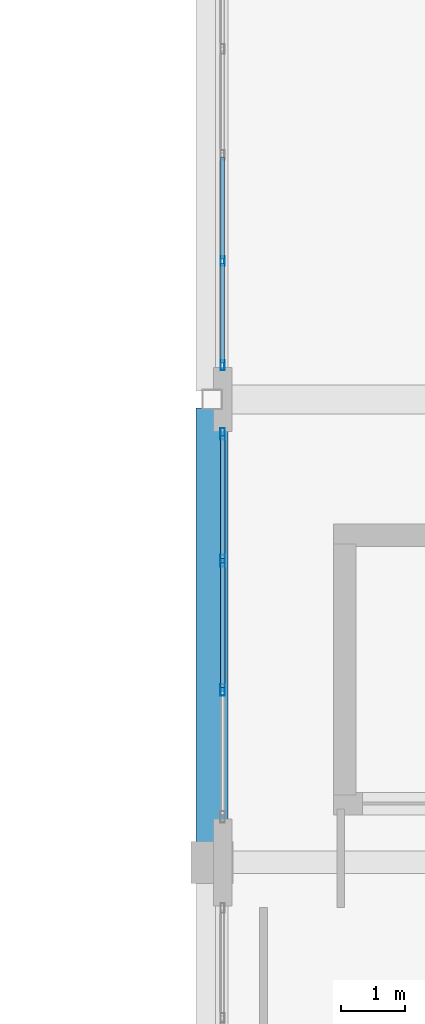
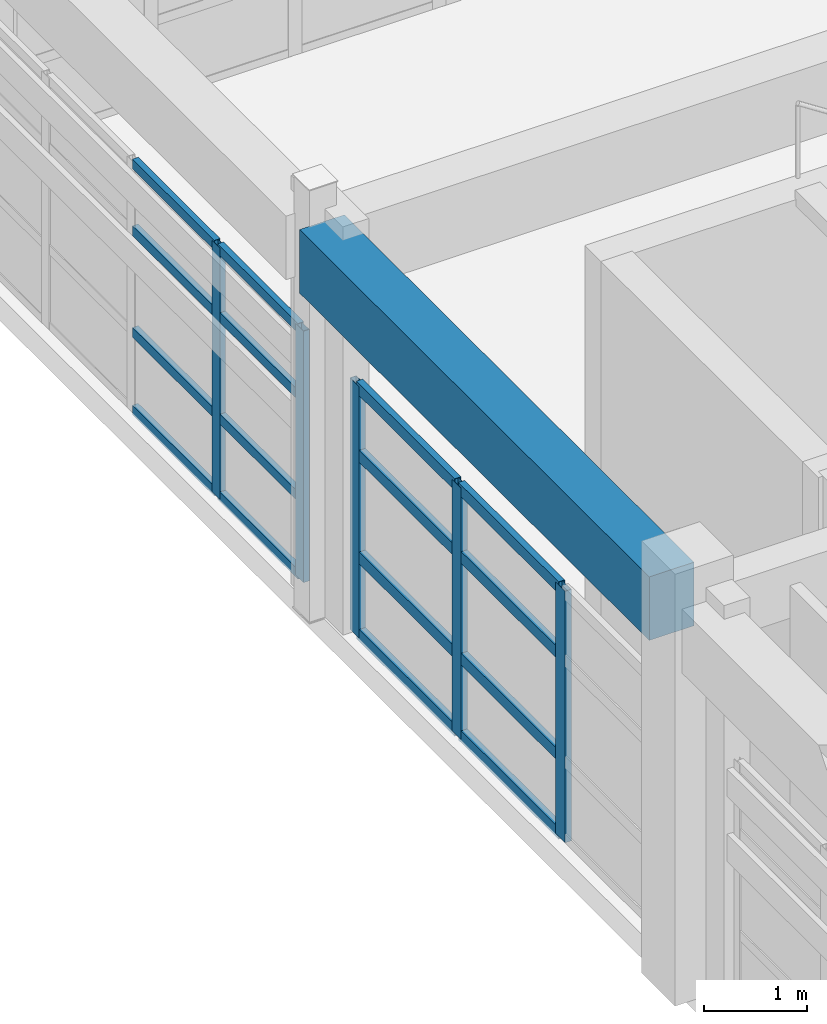
# One storey, part 60 of 103: 21 members, 1 beam, 2 elements without a shape of their own.
"""IFC4 building model written with IfcOpenShell, lengths in metres."""

from ifc_helpers import new_model, si_unit, direction, frame, origin, origin_2d, place, context, subcontext, project, spatial, rectangle, hollow_rectangle, extrude, material, layer, layer_set, material_profile, profile_set, type_object, element, aggregate, save


model = new_model("IFC4")

# Units and contexts
model_context = context("Model", 3, precision=1e-05, world=origin(), true_north=direction((0.0, 1.0)))
body_context = subcontext(model_context, "Body", "Model", "MODEL_VIEW")
ifc_project = project(units=[si_unit("LENGTHUNIT", "METRE"), si_unit("AREAUNIT", "SQUARE_METRE"), si_unit("VOLUMEUNIT", "CUBIC_METRE"), si_unit("PLANEANGLEUNIT", "RADIAN"), si_unit("MASSUNIT", "GRAM", prefix="KILO")], contexts=[model_context])

# Site, building, storey
site_placement = place(None, origin())
site = spatial("IfcSite", under=ifc_project, at=site_placement, CompositionType="ELEMENT")
building_placement = place(site_placement, origin())
building = spatial("IfcBuilding", under=site, at=building_placement, Name="Quendrovan Civic Courthouse", CompositionType="ELEMENT")
storey_placement = place(building_placement, frame((0.0, 0.0, 15.300048828125)))
storey = spatial("IfcBuildingStorey", under=building, at=storey_placement, Name="L04", CompositionType="ELEMENT", Elevation=15.300048828125)

# Beam
ifc_material_1 = material(Name="Concrete C40/50", Category="concrete")
ifc_material_profile_1 = material_profile(ifc_material_1, rectangle(XDim=0.5, YDim=0.75, at=origin_2d()), Name="RC-BM-500x750")
ifc_profile_set_1 = profile_set([ifc_material_profile_1], Name="Concrete C40/50")
beam_type = type_object("IfcBeamType", Name="BM-RC750", PredefinedType="SPANDREL", material=ifc_profile_set_1)
beam_placement = place(storey_placement, frame((109.199951171875, 95.10498046875, 4.284912109375), z_axis=(0.0, 1.0, 0.0), x_axis=(-1.0, 0.0, 0.0)))
element("IfcBeam", 1, at=beam_placement, inside=storey, type_object=beam_type, Name="L04 Girder Y0987", PredefinedType="SPANDREL", context=body_context, shape_type="SweptSolid", body=[
    extrude(rectangle(XDim=0.5, YDim=0.75, at=origin_2d()), origin(), (0.0, 0.0, 1.0), 6.76513671875),
])

# Curtain wall, members
ifc_material_2 = material(Name="Bronze anodised aluminium and low-E glass", Category="aluminium")
ifc_layer_1 = layer(ifc_material_2, 0.179931640625, Name="Bronze anodised aluminium and low-E glass")
ifc_layer_set_1 = layer_set([ifc_layer_1], Name="Bronze anodised aluminium and low-E glass")
curtain_wall_type_1 = type_object("IfcCurtainWallType", Name="CW-U60x30", PredefinedType="USERDEFINED", material=ifc_layer_set_1)
curtain_wall_1_placement = place(storey_placement, origin())
curtain_wall_1 = element("IfcCurtainWall", 2, at=curtain_wall_1_placement, inside=storey, type_object=curtain_wall_type_1, Name="L04 Unitised Hurricane Curtain Wall CW-178", ObjectType="UNITISED CURTAIN WALL", PredefinedType="USERDEFINED")
ifc_material_3 = material(Name="Bronze anodised aluminium", Category="aluminium")
ifc_material_profile_2 = material_profile(ifc_material_3, hollow_rectangle(XDim=0.070068359375, YDim=0.179931640625, WallThickness=0.00390625, at=origin_2d()), Name="CW-MULL-70x180")
ifc_profile_set_2 = profile_set([ifc_material_profile_2], Name="Bronze anodised aluminium")
member_type_1 = type_object("IfcMemberType", Name="CW-MULL-A", PredefinedType="MULLION", material=ifc_profile_set_2)
member_1_placement = place(storey_placement, frame((109.364990234375, 97.4833984375, 0.0), z_axis=(0.0, 0.0, 1.0), x_axis=(-1.0, 0.0, 0.0)))
member_1 = element("IfcMember", 3, at=member_1_placement, type_object=member_type_1, Name="CW-178 mullion 2", PredefinedType="MULLION", context=body_context, shape_type="SweptSolid", body=[
    extrude(hollow_rectangle(XDim=0.070068359375, YDim=0.179931640625, WallThickness=0.00390625, at=origin_2d()), origin(), (0.0, 0.0, 1.0), 2.969970703125),
])
member_2_placement = place(storey_placement, frame((109.364990234375, 99.49169921875, 0.0), z_axis=(0.0, 0.0, 1.0), x_axis=(-1.0, 0.0, 0.0)))
member_2 = element("IfcMember", 4, at=member_2_placement, type_object=member_type_1, Name="CW-178 mullion 3", PredefinedType="MULLION", context=body_context, shape_type="SweptSolid", body=[
    extrude(hollow_rectangle(XDim=0.070068359375, YDim=0.179931640625, WallThickness=0.00390625, at=origin_2d()), origin(), (0.0, 0.0, 1.0), 2.969970703125),
])
member_3_placement = place(storey_placement, frame((109.364990234375, 101.465087890625, 0.0), z_axis=(0.0, 0.0, 1.0), x_axis=(-1.0, 0.0, 0.0)))
member_3 = element("IfcMember", 5, at=member_3_placement, type_object=member_type_1, Name="CW-178 mullion 4", PredefinedType="MULLION", context=body_context, shape_type="SweptSolid", body=[
    extrude(hollow_rectangle(XDim=0.070068359375, YDim=0.179931640625, WallThickness=0.00390625, at=origin_2d()), origin(), (0.0, 0.0, 1.0), 2.969970703125),
])

ifc_layer_2 = layer(ifc_material_2, 0.179931640625, Name="Bronze anodised aluminium and low-E glass")
ifc_layer_set_2 = layer_set([ifc_layer_2], Name="Bronze anodised aluminium and low-E glass")
curtain_wall_type_2 = type_object("IfcCurtainWallType", Name="CW-U66x30", PredefinedType="USERDEFINED", material=ifc_layer_set_2)
curtain_wall_2_placement = place(storey_placement, origin())
curtain_wall_2 = element("IfcCurtainWall", 6, at=curtain_wall_2_placement, inside=storey, type_object=curtain_wall_type_2, Name="L04 Unitised Hurricane Curtain Wall CW-179", ObjectType="UNITISED CURTAIN WALL", PredefinedType="USERDEFINED")
ifc_material_profile_3 = material_profile(ifc_material_3, hollow_rectangle(XDim=0.06494140625, YDim=0.14990234375, WallThickness=0.00390625, at=origin_2d()), Name="CW-MULL-65x150")
ifc_profile_set_3 = profile_set([ifc_material_profile_3], Name="Bronze anodised aluminium")
member_type_2 = type_object("IfcMemberType", Name="CW-MULL-B", PredefinedType="MULLION", material=ifc_profile_set_3)
member_4_placement = place(storey_placement, frame((109.364990234375, 102.532470703125, 0.0), z_axis=(0.0, 0.0, 1.0), x_axis=(-1.0, 0.0, 0.0)))
member_4 = element("IfcMember", 7, at=member_4_placement, type_object=member_type_2, Name="CW-179 mullion 1", PredefinedType="MULLION", context=body_context, shape_type="SweptSolid", body=[
    extrude(hollow_rectangle(XDim=0.06494140625, YDim=0.14990234375, WallThickness=0.00390625, at=origin_2d()), origin(), (0.0, 0.0, 1.0), 2.969970703125),
])
member_5_placement = place(storey_placement, frame((109.364990234375, 104.14990234375, 0.0), z_axis=(0.0, 0.0, 1.0), x_axis=(-1.0, 0.0, 0.0)))
member_5 = element("IfcMember", 8, at=member_5_placement, type_object=member_type_2, Name="CW-179 mullion 2", PredefinedType="MULLION", context=body_context, shape_type="SweptSolid", body=[
    extrude(hollow_rectangle(XDim=0.06494140625, YDim=0.14990234375, WallThickness=0.00390625, at=origin_2d()), origin(), (0.0, 0.0, 1.0), 2.969970703125),
])

# Member
ifc_material_profile_4 = material_profile(ifc_material_3, hollow_rectangle(XDim=0.070068359375, YDim=0.139892578125, WallThickness=0.00390625, at=origin_2d()), Name="CW-TRAN-70x140")
ifc_profile_set_4 = profile_set([ifc_material_profile_4], Name="Bronze anodised aluminium")
member_type_3 = type_object("IfcMemberType", Name="CW-TRAN-A", PredefinedType="USERDEFINED", material=ifc_profile_set_4)
member_6_placement = place(storey_placement, frame((109.364990234375, 97.518310546875, 0.034912109375), z_axis=(0.0, 1.0, 0.0), x_axis=(-1.0, 0.0, 0.0)))
member_6 = element("IfcMember", 9, at=member_6_placement, type_object=member_type_3, Name="CW-178 transom 2.1", ObjectType="TRANSOM", PredefinedType="USERDEFINED", context=body_context, shape_type="SweptSolid", body=[
    extrude(hollow_rectangle(XDim=0.070068359375, YDim=0.139892578125, WallThickness=0.00390625, at=origin_2d()), origin(), (0.0, 0.0, 1.0), 1.9384765625),
])

member_7_placement = place(storey_placement, frame((109.364990234375, 97.518310546875, 0.949951171875), z_axis=(0.0, 1.0, 0.0), x_axis=(-1.0, 0.0, 0.0)))
member_7 = element("IfcMember", 10, at=member_7_placement, type_object=member_type_3, Name="CW-178 transom 2.2", ObjectType="TRANSOM", PredefinedType="USERDEFINED", context=body_context, shape_type="SweptSolid", body=[
    extrude(hollow_rectangle(XDim=0.070068359375, YDim=0.139892578125, WallThickness=0.00390625, at=origin_2d()), origin(), (0.0, 0.0, 1.0), 1.9384765625),
])

member_8_placement = place(storey_placement, frame((109.364990234375, 97.518310546875, 2.14990234375), z_axis=(0.0, 1.0, 0.0), x_axis=(-1.0, 0.0, 0.0)))
member_8 = element("IfcMember", 11, at=member_8_placement, type_object=member_type_3, Name="CW-178 transom 2.3", ObjectType="TRANSOM", PredefinedType="USERDEFINED", context=body_context, shape_type="SweptSolid", body=[
    extrude(hollow_rectangle(XDim=0.070068359375, YDim=0.139892578125, WallThickness=0.00390625, at=origin_2d()), origin(), (0.0, 0.0, 1.0), 1.9384765625),
])

member_9_placement = place(storey_placement, frame((109.364990234375, 97.518310546875, 2.93505859375), z_axis=(0.0, 1.0, 0.0), x_axis=(-1.0, 0.0, 0.0)))
member_9 = element("IfcMember", 12, at=member_9_placement, type_object=member_type_3, Name="CW-178 transom 2.4", ObjectType="TRANSOM", PredefinedType="USERDEFINED", context=body_context, shape_type="SweptSolid", body=[
    extrude(hollow_rectangle(XDim=0.070068359375, YDim=0.139892578125, WallThickness=0.00390625, at=origin_2d()), origin(), (0.0, 0.0, 1.0), 1.9384765625),
])

member_10_placement = place(storey_placement, frame((109.364990234375, 99.526611328125, 0.034912109375), z_axis=(0.0, 1.0, 0.0), x_axis=(-1.0, 0.0, 0.0)))
member_10 = element("IfcMember", 13, at=member_10_placement, type_object=member_type_3, Name="CW-178 transom 3.1", ObjectType="TRANSOM", PredefinedType="USERDEFINED", context=body_context, shape_type="SweptSolid", body=[
    extrude(hollow_rectangle(XDim=0.070068359375, YDim=0.139892578125, WallThickness=0.00390625, at=origin_2d()), origin(), (0.0, 0.0, 1.0), 1.9033203125),
])

member_11_placement = place(storey_placement, frame((109.364990234375, 99.526611328125, 0.949951171875), z_axis=(0.0, 1.0, 0.0), x_axis=(-1.0, 0.0, 0.0)))
member_11 = element("IfcMember", 14, at=member_11_placement, type_object=member_type_3, Name="CW-178 transom 3.2", ObjectType="TRANSOM", PredefinedType="USERDEFINED", context=body_context, shape_type="SweptSolid", body=[
    extrude(hollow_rectangle(XDim=0.070068359375, YDim=0.139892578125, WallThickness=0.00390625, at=origin_2d()), origin(), (0.0, 0.0, 1.0), 1.9033203125),
])

member_12_placement = place(storey_placement, frame((109.364990234375, 99.526611328125, 2.14990234375), z_axis=(0.0, 1.0, 0.0), x_axis=(-1.0, 0.0, 0.0)))
member_12 = element("IfcMember", 15, at=member_12_placement, type_object=member_type_3, Name="CW-178 transom 3.3", ObjectType="TRANSOM", PredefinedType="USERDEFINED", context=body_context, shape_type="SweptSolid", body=[
    extrude(hollow_rectangle(XDim=0.070068359375, YDim=0.139892578125, WallThickness=0.00390625, at=origin_2d()), origin(), (0.0, 0.0, 1.0), 1.9033203125),
])

member_13_placement = place(storey_placement, frame((109.364990234375, 99.526611328125, 2.93505859375), z_axis=(0.0, 1.0, 0.0), x_axis=(-1.0, 0.0, 0.0)))
member_13 = element("IfcMember", 16, at=member_13_placement, type_object=member_type_3, Name="CW-178 transom 3.4", ObjectType="TRANSOM", PredefinedType="USERDEFINED", context=body_context, shape_type="SweptSolid", body=[
    extrude(hollow_rectangle(XDim=0.070068359375, YDim=0.139892578125, WallThickness=0.00390625, at=origin_2d()), origin(), (0.0, 0.0, 1.0), 1.9033203125),
])

aggregate(curtain_wall_1, [member_1, member_2, member_3, member_6, member_7, member_8, member_9, member_10, member_11, member_12, member_13])

ifc_material_profile_5 = material_profile(ifc_material_3, hollow_rectangle(XDim=0.06494140625, YDim=0.114990234375, WallThickness=0.00390625, at=origin_2d()), Name="CW-TRAN-65x115")
ifc_profile_set_5 = profile_set([ifc_material_profile_5], Name="Bronze anodised aluminium")
member_type_4 = type_object("IfcMemberType", Name="CW-TRAN-B", PredefinedType="USERDEFINED", material=ifc_profile_set_5)
member_14_placement = place(storey_placement, frame((109.364990234375, 102.56494140625, 0.032470703125), z_axis=(0.0, 1.0, 0.0), x_axis=(-1.0, 0.0, 0.0)))
member_14 = element("IfcMember", 17, at=member_14_placement, type_object=member_type_4, Name="CW-179 transom 1.1", ObjectType="TRANSOM", PredefinedType="USERDEFINED", context=body_context, shape_type="SweptSolid", body=[
    extrude(hollow_rectangle(XDim=0.06494140625, YDim=0.114990234375, WallThickness=0.00390625, at=origin_2d()), origin(), (0.0, 0.0, 1.0), 1.552490234375),
])

member_15_placement = place(storey_placement, frame((109.364990234375, 102.56494140625, 0.949951171875), z_axis=(0.0, 1.0, 0.0), x_axis=(-1.0, 0.0, 0.0)))
member_15 = element("IfcMember", 18, at=member_15_placement, type_object=member_type_4, Name="CW-179 transom 1.2", ObjectType="TRANSOM", PredefinedType="USERDEFINED", context=body_context, shape_type="SweptSolid", body=[
    extrude(hollow_rectangle(XDim=0.06494140625, YDim=0.114990234375, WallThickness=0.00390625, at=origin_2d()), origin(), (0.0, 0.0, 1.0), 1.552490234375),
])

member_16_placement = place(storey_placement, frame((109.364990234375, 102.56494140625, 2.14990234375), z_axis=(0.0, 1.0, 0.0), x_axis=(-1.0, 0.0, 0.0)))
member_16 = element("IfcMember", 19, at=member_16_placement, type_object=member_type_4, Name="CW-179 transom 1.3", ObjectType="TRANSOM", PredefinedType="USERDEFINED", context=body_context, shape_type="SweptSolid", body=[
    extrude(hollow_rectangle(XDim=0.06494140625, YDim=0.114990234375, WallThickness=0.00390625, at=origin_2d()), origin(), (0.0, 0.0, 1.0), 1.552490234375),
])

member_17_placement = place(storey_placement, frame((109.364990234375, 102.56494140625, 2.9375), z_axis=(0.0, 1.0, 0.0), x_axis=(-1.0, 0.0, 0.0)))
member_17 = element("IfcMember", 20, at=member_17_placement, type_object=member_type_4, Name="CW-179 transom 1.4", ObjectType="TRANSOM", PredefinedType="USERDEFINED", context=body_context, shape_type="SweptSolid", body=[
    extrude(hollow_rectangle(XDim=0.06494140625, YDim=0.114990234375, WallThickness=0.00390625, at=origin_2d()), origin(), (0.0, 0.0, 1.0), 1.552490234375),
])

member_18_placement = place(storey_placement, frame((109.364990234375, 104.1826171875, 0.032470703125), z_axis=(0.0, 1.0, 0.0), x_axis=(-1.0, 0.0, 0.0)))
member_18 = element("IfcMember", 21, at=member_18_placement, type_object=member_type_4, Name="CW-179 transom 2.1", ObjectType="TRANSOM", PredefinedType="USERDEFINED", context=body_context, shape_type="SweptSolid", body=[
    extrude(hollow_rectangle(XDim=0.06494140625, YDim=0.114990234375, WallThickness=0.00390625, at=origin_2d()), origin(), (0.0, 0.0, 1.0), 1.5849609375),
])

member_19_placement = place(storey_placement, frame((109.364990234375, 104.1826171875, 0.949951171875), z_axis=(0.0, 1.0, 0.0), x_axis=(-1.0, 0.0, 0.0)))
member_19 = element("IfcMember", 22, at=member_19_placement, type_object=member_type_4, Name="CW-179 transom 2.2", ObjectType="TRANSOM", PredefinedType="USERDEFINED", context=body_context, shape_type="SweptSolid", body=[
    extrude(hollow_rectangle(XDim=0.06494140625, YDim=0.114990234375, WallThickness=0.00390625, at=origin_2d()), origin(), (0.0, 0.0, 1.0), 1.5849609375),
])

member_20_placement = place(storey_placement, frame((109.364990234375, 104.1826171875, 2.14990234375), z_axis=(0.0, 1.0, 0.0), x_axis=(-1.0, 0.0, 0.0)))
member_20 = element("IfcMember", 23, at=member_20_placement, type_object=member_type_4, Name="CW-179 transom 2.3", ObjectType="TRANSOM", PredefinedType="USERDEFINED", context=body_context, shape_type="SweptSolid", body=[
    extrude(hollow_rectangle(XDim=0.06494140625, YDim=0.114990234375, WallThickness=0.00390625, at=origin_2d()), origin(), (0.0, 0.0, 1.0), 1.5849609375),
])

member_21_placement = place(storey_placement, frame((109.364990234375, 104.1826171875, 2.9375), z_axis=(0.0, 1.0, 0.0), x_axis=(-1.0, 0.0, 0.0)))
member_21 = element("IfcMember", 24, at=member_21_placement, type_object=member_type_4, Name="CW-179 transom 2.4", ObjectType="TRANSOM", PredefinedType="USERDEFINED", context=body_context, shape_type="SweptSolid", body=[
    extrude(hollow_rectangle(XDim=0.06494140625, YDim=0.114990234375, WallThickness=0.00390625, at=origin_2d()), origin(), (0.0, 0.0, 1.0), 1.5849609375),
])

aggregate(curtain_wall_2, [member_4, member_5, member_14, member_15, member_16, member_17, member_18, member_19, member_20, member_21])

save(model, "model.ifc")
